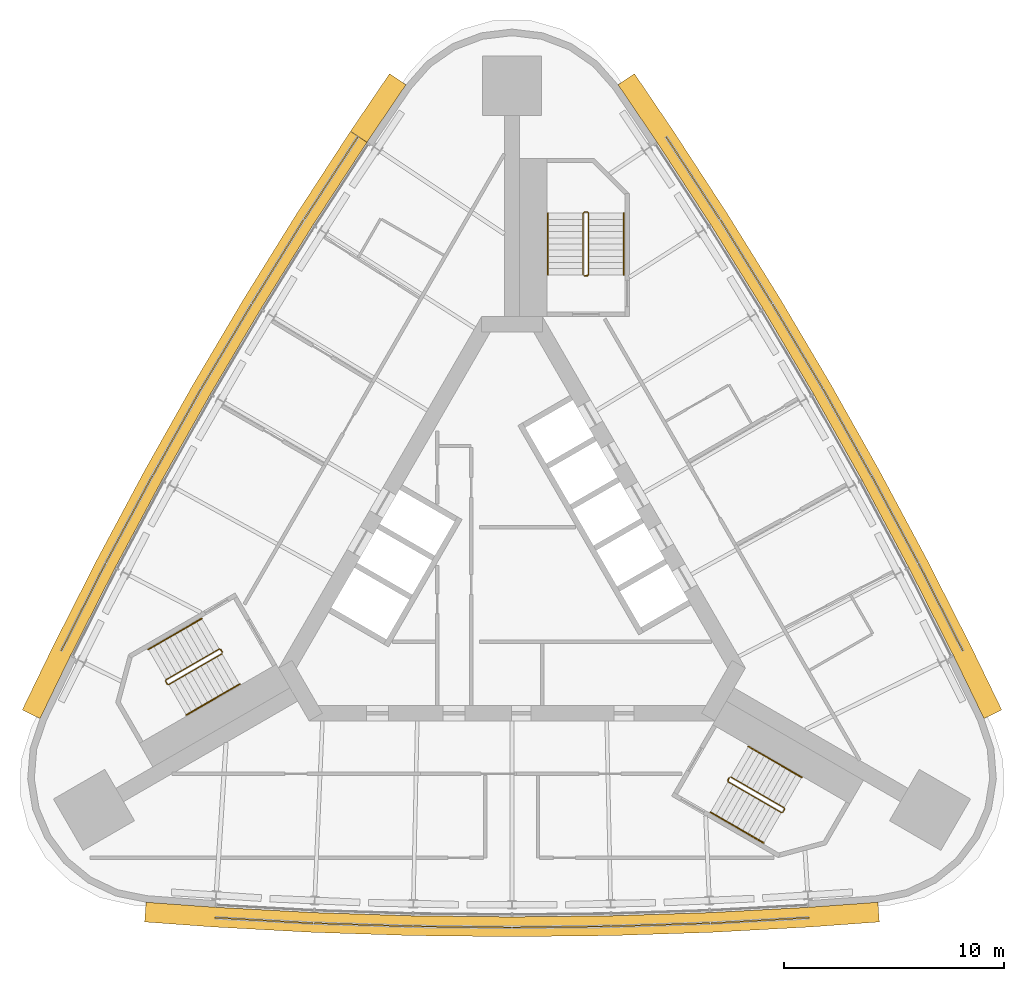
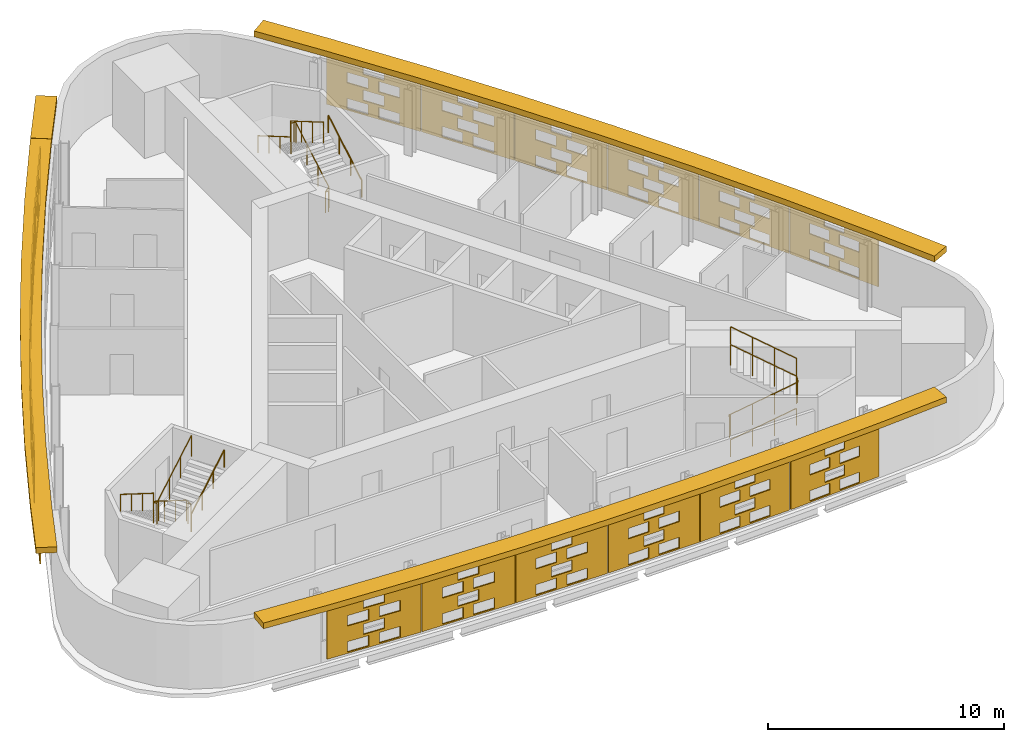
# One storey, part 10 of 10: 22 shading devices, 9 railings.
"""IFC4 building model written with IfcOpenShell, lengths in metres."""

from ifc_helpers import new_model, si_unit, direction, frame, origin, origin_2d, place, context, subcontext, project, spatial, polyline, circle, outline, extrude, material, material_profile, profile_set, type_object, element, save


model = new_model("IFC4")

# Units and contexts
model_context = context("Model", 3, precision=1e-05, world=origin(), true_north=direction((0.0, 1.0)))
body_context = subcontext(model_context, "Body", "Model", "MODEL_VIEW")
ifc_project = project(units=[si_unit("LENGTHUNIT", "METRE"), si_unit("AREAUNIT", "SQUARE_METRE"), si_unit("VOLUMEUNIT", "CUBIC_METRE"), si_unit("PLANEANGLEUNIT", "RADIAN"), si_unit("MASSUNIT", "GRAM", prefix="KILO")], contexts=[model_context])

# Site, building, storey
site_placement = place(None, origin())
site = spatial("IfcSite", under=ifc_project, at=site_placement, CompositionType="ELEMENT")
building_placement = place(site_placement, origin())
building = spatial("IfcBuilding", under=site, at=building_placement, Name="Noor Cloister Tower", CompositionType="ELEMENT")
storey_placement = place(building_placement, frame((0.0, 0.0, 192.300048828125)))
storey = spatial("IfcBuildingStorey", under=building, at=storey_placement, Name="L49", CompositionType="ELEMENT", Elevation=192.300048828125)

# Shading devices
ifc_material_1 = material(Name="Limestone", Category="masonry")
ifc_material_profile = material_profile(ifc_material_1, outline(polyline([(-2.22998046875, -1.35009765625), (2.22998046875, -1.35009765625), (2.22998046875, 1.35009765625), (-2.22998046875, 1.35009765625), (-2.22998046875, -1.35009765625)]), holes=[polyline([(-1.25, -1.282470703125), (-0.25, -1.282470703125), (-0.25, -0.742431640625), (-1.25, -0.742431640625), (-1.25, -1.282470703125)]), polyline([(0.25, -1.282470703125), (1.25, -1.282470703125), (1.25, -0.742431640625), (0.25, -0.742431640625), (0.25, -1.282470703125)]), polyline([(-0.5, -0.607421875), (0.5, -0.607421875), (0.5, -0.0673828125), (-0.5, -0.0673828125), (-0.5, -0.607421875)]), polyline([(-1.25, 0.0673828125), (-0.25, 0.0673828125), (-0.25, 0.607421875), (-1.25, 0.607421875), (-1.25, 0.0673828125)]), polyline([(0.25, 0.0673828125), (1.25, 0.0673828125), (1.25, 0.607421875), (0.25, 0.607421875), (0.25, 0.0673828125)]), polyline([(-0.5, 0.742431640625), (0.5, 0.742431640625), (0.5, 1.282470703125), (-0.5, 1.282470703125), (-0.5, 0.742431640625)])]), Name="Woven screen 32 percent open")
ifc_profile_set = profile_set([ifc_material_profile], Name="Limestone")
shading_device_type_1 = type_object("IfcShadingDeviceType", Name="SCREEN woven limestone 32 percent open", PredefinedType="USERDEFINED", material=ifc_profile_set)
for number, where, z_axis, x_axis, name in (
    (1, (-8.20068359375, 17.74609375, 1.849853515625), (-0.838257628123, 0.545274379459, 0.0), (-0.545274379459, -0.838257628123, 0.0), "SCREEN L49 1"),
    (2, (-10.622314453125, 13.942138671875, 1.849853515625), (-0.850958576931, 0.525232805857, 0.0), (-0.525232805857, -0.850958576931, 0.0), "SCREEN L49 2"),
):
    element("IfcShadingDevice", number, at=place(storey_placement, frame(where, z_axis=z_axis, x_axis=x_axis)), inside=storey, type_object=shading_device_type_1, Name=name, ObjectType="SCREEN", PredefinedType="USERDEFINED", context=body_context, shape_type="SweptSolid", body=[
        extrude(outline(polyline([(-2.22998046875, -1.35009765625), (2.22998046875, -1.35009765625), (2.22998046875, 1.35009765625), (-2.22998046875, 1.35009765625), (-2.22998046875, -1.35009765625)]), holes=[polyline([(-1.25, -1.282470703125), (-0.25, -1.282470703125), (-0.25, -0.742431640625), (-1.25, -0.742431640625), (-1.25, -1.282470703125)]), polyline([(0.25, -1.282470703125), (1.25, -1.282470703125), (1.25, -0.742431640625), (0.25, -0.742431640625), (0.25, -1.282470703125)]), polyline([(-0.5, -0.607421875), (0.5, -0.607421875), (0.5, -0.0673828125), (-0.5, -0.0673828125), (-0.5, -0.607421875)]), polyline([(-1.25, 0.0673828125), (-0.25, 0.0673828125), (-0.25, 0.607421875), (-1.25, 0.607421875), (-1.25, 0.0673828125)]), polyline([(0.25, 0.0673828125), (1.25, 0.0673828125), (1.25, 0.607421875), (0.25, 0.607421875), (0.25, 0.0673828125)]), polyline([(-0.5, 0.742431640625), (0.5, 0.742431640625), (0.5, 1.282470703125), (-0.5, 1.282470703125), (-0.5, 0.742431640625)])]), origin(), (0.0, 0.0, 1.0), 0.06005859375),
    ])
shading_device_1_placement = place(storey_placement, frame((-12.9609375, 10.08642578125, 1.849853515625), z_axis=(-0.85963215675, 0.510913451654, 0.0), x_axis=(-0.510913451654, -0.85963215675, 0.0)))
element("IfcShadingDevice", 3, at=shading_device_1_placement, inside=storey, type_object=shading_device_type_1, Name="SCREEN L49 3", ObjectType="SCREEN", PredefinedType="USERDEFINED", context=body_context, shape_type="SweptSolid", body=[
    extrude(outline(polyline([(-2.22998046875, -1.35009765625), (2.22998046875, -1.35009765625), (2.22998046875, 1.35009765625), (-2.22998046875, 1.35009765625), (-2.22998046875, -1.35009765625)]), holes=[polyline([(-1.25, -1.282470703125), (-0.25, -1.282470703125), (-0.25, -0.742431640625), (-1.25, -0.742431640625), (-1.25, -1.282470703125)]), polyline([(0.25, -1.282470703125), (1.25, -1.282470703125), (1.25, -0.742431640625), (0.25, -0.742431640625), (0.25, -1.282470703125)]), polyline([(-0.5, -0.607421875), (0.5, -0.607421875), (0.5, -0.0673828125), (-0.5, -0.0673828125), (-0.5, -0.607421875)]), polyline([(-1.25, 0.0673828125), (-0.25, 0.0673828125), (-0.25, 0.607421875), (-1.25, 0.607421875), (-1.25, 0.0673828125)]), polyline([(0.25, 0.0673828125), (1.25, 0.0673828125), (1.25, 0.607421875), (0.25, 0.607421875), (0.25, 0.0673828125)]), polyline([(-0.5, 0.742431640625), (0.5, 0.742431640625), (0.5, 1.282470703125), (-0.5, 1.282470703125), (-0.5, 0.742431640625)])]), origin(), (0.0, 0.0, 1.0), 0.060302734375),
])
for number, where, z_axis, x_axis, name in (
    (4, (-15.215576171875, 6.181396484375, 1.849853515625), (-0.873197702015, 0.487366159264, 0.0), (-0.487366159264, -0.873197702015, 0.0), "SCREEN L49 4"),
    (5, (-17.38525390625, 2.228271484375, 1.849853515625), (-0.88190253726, 0.47143177107, 0.0), (-0.47143177107, -0.88190253726, 0.0), "SCREEN L49 5"),
    (6, (-19.468994140625, -1.77099609375, 1.849853515625), (-0.891970083601, 0.452094425935, 0.0), (-0.452094425935, -0.891970083601, 0.0), "SCREEN L49 6"),
    (7, (-11.26806640625, -15.97509765625, 1.849853515625), (-0.056818631031, -0.998384516691, 0.0), (0.998384516691, -0.056818631031, 0.0), "SCREEN L49 1"),
    (8, (-6.762939453125, -16.170166015625, 1.849853515625), (-0.032503142546, -0.999471633277, 0.0), (0.999471633277, -0.032503142546, 0.0), "SCREEN L49 2"),
    (9, (-2.254638671875, -16.267822265625, 1.849853515625), (-0.012194215217, -0.999925647793, 0.0), (0.999925647793, -0.012194215217, 0.0), "SCREEN L49 3"),
    (10, (2.254638671875, -16.267822265625, 1.849853515625), (0.012194215217, -0.999925647793, 0.0), (0.999925647793, 0.012194215217, 0.0), "SCREEN L49 4"),
    (11, (6.762939453125, -16.170166015625, 1.849853515625), (0.032503142546, -0.999471633277, 0.0), (0.999471633277, 0.032503142546, 0.0), "SCREEN L49 5"),
    (12, (11.26806640625, -15.97509765625, 1.849853515625), (0.056818631031, -0.998384516691, 0.0), (0.998384516691, 0.056818631031, 0.0), "SCREEN L49 6"),
    (13, (19.468994140625, -1.77099609375, 1.849853515625), (0.891970083601, 0.452094425935, 0.0), (-0.452094425935, 0.891970083601, 0.0), "SCREEN L49 1"),
    (14, (17.38525390625, 2.228271484375, 1.849853515625), (0.88190253726, 0.47143177107, 0.0), (-0.47143177107, 0.88190253726, 0.0), "SCREEN L49 2"),
    (15, (15.215576171875, 6.181396484375, 1.849853515625), (0.873197702015, 0.487366159264, 0.0), (-0.487366159264, 0.873197702015, 0.0), "SCREEN L49 3"),
):
    element("IfcShadingDevice", number, at=place(storey_placement, frame(where, z_axis=z_axis, x_axis=x_axis)), inside=storey, type_object=shading_device_type_1, Name=name, ObjectType="SCREEN", PredefinedType="USERDEFINED", context=body_context, shape_type="SweptSolid", body=[
        extrude(outline(polyline([(-2.22998046875, -1.35009765625), (2.22998046875, -1.35009765625), (2.22998046875, 1.35009765625), (-2.22998046875, 1.35009765625), (-2.22998046875, -1.35009765625)]), holes=[polyline([(-1.25, -1.282470703125), (-0.25, -1.282470703125), (-0.25, -0.742431640625), (-1.25, -0.742431640625), (-1.25, -1.282470703125)]), polyline([(0.25, -1.282470703125), (1.25, -1.282470703125), (1.25, -0.742431640625), (0.25, -0.742431640625), (0.25, -1.282470703125)]), polyline([(-0.5, -0.607421875), (0.5, -0.607421875), (0.5, -0.0673828125), (-0.5, -0.0673828125), (-0.5, -0.607421875)]), polyline([(-1.25, 0.0673828125), (-0.25, 0.0673828125), (-0.25, 0.607421875), (-1.25, 0.607421875), (-1.25, 0.0673828125)]), polyline([(0.25, 0.0673828125), (1.25, 0.0673828125), (1.25, 0.607421875), (0.25, 0.607421875), (0.25, 0.0673828125)]), polyline([(-0.5, 0.742431640625), (0.5, 0.742431640625), (0.5, 1.282470703125), (-0.5, 1.282470703125), (-0.5, 0.742431640625)])]), origin(), (0.0, 0.0, 1.0), 0.06005859375),
    ])
shading_device_2_placement = place(storey_placement, frame((12.9609375, 10.08642578125, 1.849853515625), z_axis=(0.85963215675, 0.510913451654, 0.0), x_axis=(-0.510913451654, 0.85963215675, 0.0)))
element("IfcShadingDevice", 16, at=shading_device_2_placement, inside=storey, type_object=shading_device_type_1, Name="SCREEN L49 4", ObjectType="SCREEN", PredefinedType="USERDEFINED", context=body_context, shape_type="SweptSolid", body=[
    extrude(outline(polyline([(-2.22998046875, -1.35009765625), (2.22998046875, -1.35009765625), (2.22998046875, 1.35009765625), (-2.22998046875, 1.35009765625), (-2.22998046875, -1.35009765625)]), holes=[polyline([(-1.25, -1.282470703125), (-0.25, -1.282470703125), (-0.25, -0.742431640625), (-1.25, -0.742431640625), (-1.25, -1.282470703125)]), polyline([(0.25, -1.282470703125), (1.25, -1.282470703125), (1.25, -0.742431640625), (0.25, -0.742431640625), (0.25, -1.282470703125)]), polyline([(-0.5, -0.607421875), (0.5, -0.607421875), (0.5, -0.0673828125), (-0.5, -0.0673828125), (-0.5, -0.607421875)]), polyline([(-1.25, 0.0673828125), (-0.25, 0.0673828125), (-0.25, 0.607421875), (-1.25, 0.607421875), (-1.25, 0.0673828125)]), polyline([(0.25, 0.0673828125), (1.25, 0.0673828125), (1.25, 0.607421875), (0.25, 0.607421875), (0.25, 0.0673828125)]), polyline([(-0.5, 0.742431640625), (0.5, 0.742431640625), (0.5, 1.282470703125), (-0.5, 1.282470703125), (-0.5, 0.742431640625)])]), origin(), (0.0, 0.0, 1.0), 0.060302734375),
])
for number, where, z_axis, x_axis, name in (
    (17, (10.622314453125, 13.942138671875, 1.849853515625), (0.850958576931, 0.525232805857, 0.0), (-0.525232805857, 0.850958576931, 0.0), "SCREEN L49 5"),
    (18, (8.20068359375, 17.74609375, 1.849853515625), (0.838257628123, 0.545274379459, 0.0), (-0.545274379459, 0.838257628123, 0.0), "SCREEN L49 6"),
):
    element("IfcShadingDevice", number, at=place(storey_placement, frame(where, z_axis=z_axis, x_axis=x_axis)), inside=storey, type_object=shading_device_type_1, Name=name, ObjectType="SCREEN", PredefinedType="USERDEFINED", context=body_context, shape_type="SweptSolid", body=[
        extrude(outline(polyline([(-2.22998046875, -1.35009765625), (2.22998046875, -1.35009765625), (2.22998046875, 1.35009765625), (-2.22998046875, 1.35009765625), (-2.22998046875, -1.35009765625)]), holes=[polyline([(-1.25, -1.282470703125), (-0.25, -1.282470703125), (-0.25, -0.742431640625), (-1.25, -0.742431640625), (-1.25, -1.282470703125)]), polyline([(0.25, -1.282470703125), (1.25, -1.282470703125), (1.25, -0.742431640625), (0.25, -0.742431640625), (0.25, -1.282470703125)]), polyline([(-0.5, -0.607421875), (0.5, -0.607421875), (0.5, -0.0673828125), (-0.5, -0.0673828125), (-0.5, -0.607421875)]), polyline([(-1.25, 0.0673828125), (-0.25, 0.0673828125), (-0.25, 0.607421875), (-1.25, 0.607421875), (-1.25, 0.0673828125)]), polyline([(0.25, 0.0673828125), (1.25, 0.0673828125), (1.25, 0.607421875), (0.25, 0.607421875), (0.25, 0.0673828125)]), polyline([(-0.5, 0.742431640625), (0.5, 0.742431640625), (0.5, 1.282470703125), (-0.5, 1.282470703125), (-0.5, 0.742431640625)])]), origin(), (0.0, 0.0, 1.0), 0.06005859375),
    ])
ifc_material_2 = material(Name="Limestone", Category="masonry")
shading_device_type_2 = type_object("IfcShadingDeviceType", Name="SUNSHADE limestone band 900", PredefinedType="USERDEFINED", material=ifc_material_2)
shading_device_3_placement = place(storey_placement, frame((0.0, 0.0, 3.300048828125)))
element("IfcShadingDevice", 19, at=shading_device_3_placement, inside=storey, type_object=shading_device_type_2, Name="SUNSHADE L49 1", ObjectType="SUNSHADE", PredefinedType="USERDEFINED", context=body_context, shape_type="SweptSolid", body=[
    extrude(outline(polyline([(-7.34912109375, 19.876708984375), (-9.811767578125, 16.098876953125), (-12.197265625, 12.26025390625), (-14.499267578125, 8.37109375), (-16.71630859375, 4.43310546875), (-18.847900390625, 0.44775390625), (-20.89208984375, -3.581298828125), (-22.272705078125, -6.431640625), (-21.462646484375, -6.823974609375), (-20.085693359375, -3.98095703125), (-18.0498046875, 0.031982421875), (-15.927490234375, 4.0), (-13.7197265625, 7.921142578125), (-11.427734375, 11.79345703125), (-9.052490234375, 15.615478515625), (-6.59521484375, 19.38525390625), (-7.34912109375, 19.876708984375)])), origin(), (0.0, 0.0, 1.0), 0.2998046875),
])
shading_device_4_placement = place(storey_placement, frame((0.0, 0.0, 3.300048828125)))
element("IfcShadingDevice", 20, at=shading_device_4_placement, inside=storey, type_object=shading_device_type_2, Name="SUNSHADE L49 2", ObjectType="SUNSHADE", PredefinedType="USERDEFINED", context=body_context, shape_type="SweptSolid", body=[
    extrude(outline(polyline([(-16.706298828125, -16.072998046875), (-13.54736328125, -16.302490234375), (-9.0361328125, -16.546630859375), (-4.51904296875, -16.693359375), (0.0, -16.7421875), (4.51904296875, -16.693359375), (9.0361328125, -16.546630859375), (13.54736328125, -16.302490234375), (16.706298828125, -16.072998046875), (16.640869140625, -15.17529296875), (13.490478515625, -15.404052734375), (8.9970703125, -15.6474609375), (4.499755859375, -15.79345703125), (0.0, -15.84228515625), (-4.499755859375, -15.79345703125), (-8.9970703125, -15.6474609375), (-13.490478515625, -15.404052734375), (-16.640869140625, -15.17529296875), (-16.706298828125, -16.072998046875)])), origin(), (0.0, 0.0, 1.0), 0.2998046875),
])
shading_device_5_placement = place(storey_placement, frame((0.0, 0.0, 3.300048828125)))
element("IfcShadingDevice", 21, at=shading_device_5_placement, inside=storey, type_object=shading_device_type_2, Name="SUNSHADE L49 3", ObjectType="SUNSHADE", PredefinedType="USERDEFINED", context=body_context, shape_type="SweptSolid", body=[
    extrude(outline(polyline([(22.272705078125, -6.431640625), (20.89208984375, -3.581298828125), (18.847900390625, 0.44775390625), (16.71630859375, 4.43310546875), (14.499267578125, 8.37109375), (12.197265625, 12.26025390625), (9.811767578125, 16.098876953125), (7.344482421875, 19.883544921875), (5.56640625, 22.50439453125), (4.82177734375, 21.9990234375), (6.59521484375, 19.38525390625), (9.052490234375, 15.615478515625), (11.427734375, 11.79345703125), (13.7197265625, 7.921142578125), (15.927490234375, 4.0), (18.0498046875, 0.031982421875), (20.085693359375, -3.98095703125), (21.462646484375, -6.823974609375), (22.272705078125, -6.431640625)])), origin(), (0.0, 0.0, 1.0), 0.2998046875),
])
shading_device_6_placement = place(storey_placement, frame((0.0, 0.0, 3.300048828125)))
element("IfcShadingDevice", 22, at=shading_device_6_placement, inside=storey, type_object=shading_device_type_2, Name="SUNSHADE L49 4", ObjectType="SUNSHADE", PredefinedType="USERDEFINED", context=body_context, shape_type="SweptSolid", body=[
    extrude(outline(polyline([(-5.56640625, 22.50439453125), (-7.33984375, 19.890380859375), (-6.59521484375, 19.38525390625), (-4.82177734375, 21.9990234375), (-5.56640625, 22.50439453125)])), origin(), (0.0, 0.0, 1.0), 0.2998046875),
])

# Railings
ifc_material_3 = material(Name="Stainless steel", Category="steel")
railing_type_1 = type_object("IfcRailingType", Name="Stair guard 1100", PredefinedType="GUARDRAIL", material=ifc_material_3)
railing_1_placement = place(storey_placement, frame((3.435546875, 13.306396484375, 0.0)))
element("IfcRailing", 23, at=railing_1_placement, inside=storey, type_object=railing_type_1, Name="Stair guard ST1 L49", PredefinedType="GUARDRAIL", context=body_context, shape_type="SweptSolid", body=[
    extrude(circle(Radius=0.02392578125, at=origin_2d()), frame((0.0, 0.0, 1.076171875), z_axis=(-1.0, 0.0, 0.0), x_axis=(0.0, -1.0, 0.0)), (0.0, 0.0, 1.0), 0.14990234375),
    extrude(circle(Radius=0.02392578125, at=origin_2d()), frame((-0.14990234375, 0.0, 1.076171875), z_axis=(0.759870394187, 0.190199549216, 0.621627795), x_axis=(-0.242814311512, 0.970072785993, 0.0)), (0.0, 0.0, 1.0), 0.26318359375),
    extrude(circle(Radius=0.02392578125, at=origin_2d()), frame((0.050048828125, 0.050048828125, 1.23974609375), z_axis=(0.0, 0.863360870873, 0.504586966384), x_axis=(-1.0, 0.0, 0.0)), (0.0, 0.0, 1.0), 3.2431640625),
    extrude(circle(Radius=0.02392578125, at=origin_2d()), frame((0.050048828125, 2.85009765625, 2.8759765625), z_axis=(-0.708833529934, 0.705375805398, 0.0), x_axis=(-0.705375805398, -0.708833529934, 0.0)), (0.0, 0.0, 1.0), 0.070556640625),
    extrude(circle(Radius=0.02392578125, at=origin_2d()), frame((0.0, 2.89990234375, 2.8759765625), z_axis=(-1.0, 0.0, 0.0), x_axis=(0.0, -1.0, 0.0)), (0.0, 0.0, 1.0), 0.14990234375),
    extrude(circle(Radius=0.02392578125, at=origin_2d()), frame((-0.14990234375, 2.89990234375, 2.8759765625), z_axis=(-0.280916556609, -0.279546231943, 0.91811752648), x_axis=(0.705375805398, -0.708833529934, 0.0)), (0.0, 0.0, 1.0), 0.17822265625),
    extrude(circle(Radius=0.02392578125, at=origin_2d()), frame((-0.199951171875, 2.85009765625, 3.03955078125), z_axis=(0.0, -0.863393664356, 0.504530851732), x_axis=(1.0, 0.0, 0.0)), (0.0, 0.0, 1.0), 3.2431640625),
    extrude(circle(Radius=0.02099609375, at=origin_2d()), origin(), (0.0, 0.0, 1.0), 1.052001953125),
    extrude(circle(Radius=0.02099609375, at=origin_2d()), frame((-0.14990234375, 0.0, 0.0)), (0.0, 0.0, 1.0), 1.052001953125),
    extrude(circle(Radius=0.02099609375, at=origin_2d()), frame((0.050048828125, 0.050048828125, 0.16357421875)), (0.0, 0.0, 1.0), 1.052001953125),
    extrude(circle(Radius=0.02099609375, at=origin_2d()), frame((0.050048828125, 0.9833984375, 0.708984375)), (0.0, 0.0, 1.0), 1.052001953125),
    extrude(circle(Radius=0.02099609375, at=origin_2d()), frame((0.050048828125, 1.916748046875, 1.254638671875)), (0.0, 0.0, 1.0), 1.052001953125),
    extrude(circle(Radius=0.02099609375, at=origin_2d()), frame((0.050048828125, 2.85009765625, 1.800048828125)), (0.0, 0.0, 1.0), 1.052001953125),
    extrude(circle(Radius=0.02099609375, at=origin_2d()), frame((0.0, 2.89990234375, 1.800048828125)), (0.0, 0.0, 1.0), 1.052001953125),
    extrude(circle(Radius=0.02099609375, at=origin_2d()), frame((-0.14990234375, 2.89990234375, 1.800048828125)), (0.0, 0.0, 1.0), 1.052001953125),
    extrude(circle(Radius=0.02099609375, at=origin_2d()), frame((-0.199951171875, 2.85009765625, 1.963623046875)), (0.0, 0.0, 1.0), 1.052001953125),
    extrude(circle(Radius=0.02099609375, at=origin_2d()), frame((-0.199951171875, 1.916748046875, 2.509033203125)), (0.0, 0.0, 1.0), 1.052001953125),
    extrude(circle(Radius=0.02099609375, at=origin_2d()), frame((-0.199951171875, 0.9833984375, 3.054443359375)), (0.0, 0.0, 1.0), 1.052001953125),
    extrude(circle(Radius=0.02099609375, at=origin_2d()), frame((-0.199951171875, 0.050048828125, 3.599853515625)), (0.0, 0.0, 1.0), 1.052001953125),
])
railing_2_placement = place(storey_placement, frame((-13.241455078125, -3.677734375, 0.0)))
element("IfcRailing", 24, at=railing_2_placement, inside=storey, type_object=railing_type_1, Name="Stair guard ST2 L49", PredefinedType="GUARDRAIL", context=body_context, shape_type="SweptSolid", body=[
    extrude(circle(Radius=0.02392578125, at=origin_2d()), frame((0.0, 0.0, 1.076171875), z_axis=(0.499112439033, -0.866537231285, 0.0), x_axis=(0.866537231285, 0.499112439033, 0.0)), (0.0, 0.0, 1.0), 0.150146484375),
    extrude(circle(Radius=0.02392578125, at=origin_2d()), frame((0.074951171875, -0.130126953125, 1.076171875), z_axis=(-0.544565797804, 0.563119998752, 0.621565731736), x_axis=(-0.718850276695, -0.695164929852, 0.0)), (0.0, 0.0, 1.0), 0.26318359375),
    extrude(circle(Radius=0.02392578125, at=origin_2d()), frame((-0.068359375, 0.01806640625, 1.23974609375), z_axis=(-0.747689811644, -0.431660630283, 0.504607813879), x_axis=(0.49998411664, -0.866034573852, 0.0)), (0.0, 0.0, 1.0), 3.2431640625),
    extrude(circle(Radius=0.02392578125, at=origin_2d()), frame((-2.4931640625, -1.3818359375, 2.8759765625), z_axis=(-0.258736085224, -0.965948051503, 0.0), x_axis=(0.965948051503, -0.258736085224, 0.0)), (0.0, 0.0, 1.0), 0.07080078125),
    extrude(circle(Radius=0.02392578125, at=origin_2d()), frame((-2.511474609375, -1.4501953125, 2.8759765625), z_axis=(0.499816412211, -0.866131372301, 0.0), x_axis=(0.866131372301, 0.499816412211, 0.0)), (0.0, 0.0, 1.0), 0.14990234375),
    extrude(circle(Radius=0.02392578125, at=origin_2d()), frame((-2.4365234375, -1.580078125, 2.8759765625), z_axis=(0.383552647116, -0.102737316192, 0.917786691313), x_axis=(0.258736085224, 0.965948051503, 0.0)), (0.0, 0.0, 1.0), 0.17822265625),
    extrude(circle(Radius=0.02392578125, at=origin_2d()), frame((-2.3681640625, -1.598388671875, 3.03955078125), z_axis=(0.747693913401, 0.431738279637, 0.504535300807), x_axis=(-0.500049511043, 0.865996816683, 0.0)), (0.0, 0.0, 1.0), 3.2431640625),
    extrude(circle(Radius=0.02099609375, at=origin_2d()), origin(), (0.0, 0.0, 1.0), 1.052001953125),
    extrude(circle(Radius=0.02099609375, at=origin_2d()), frame((0.074951171875, -0.130126953125, 0.0)), (0.0, 0.0, 1.0), 1.052001953125),
    extrude(circle(Radius=0.02099609375, at=origin_2d()), frame((-0.068359375, 0.01806640625, 0.16357421875)), (0.0, 0.0, 1.0), 1.052001953125),
    extrude(circle(Radius=0.02099609375, at=origin_2d()), frame((-0.876708984375, -0.448486328125, 0.708984375)), (0.0, 0.0, 1.0), 1.052001953125),
    extrude(circle(Radius=0.02099609375, at=origin_2d()), frame((-1.684814453125, -0.915283203125, 1.254638671875)), (0.0, 0.0, 1.0), 1.052001953125),
    extrude(circle(Radius=0.02099609375, at=origin_2d()), frame((-2.4931640625, -1.3818359375, 1.800048828125)), (0.0, 0.0, 1.0), 1.052001953125),
    extrude(circle(Radius=0.02099609375, at=origin_2d()), frame((-2.511474609375, -1.4501953125, 1.800048828125)), (0.0, 0.0, 1.0), 1.052001953125),
    extrude(circle(Radius=0.02099609375, at=origin_2d()), frame((-2.4365234375, -1.580078125, 1.800048828125)), (0.0, 0.0, 1.0), 1.052001953125),
    extrude(circle(Radius=0.02099609375, at=origin_2d()), frame((-2.3681640625, -1.598388671875, 1.963623046875)), (0.0, 0.0, 1.0), 1.052001953125),
    extrude(circle(Radius=0.02099609375, at=origin_2d()), frame((-1.559814453125, -1.131591796875, 2.509033203125)), (0.0, 0.0, 1.0), 1.052001953125),
    extrude(circle(Radius=0.02099609375, at=origin_2d()), frame((-0.751708984375, -0.6650390625, 3.054443359375)), (0.0, 0.0, 1.0), 1.052001953125),
    extrude(circle(Radius=0.02099609375, at=origin_2d()), frame((0.056640625, -0.1982421875, 3.599853515625)), (0.0, 0.0, 1.0), 1.052001953125),
])
railing_3_placement = place(storey_placement, frame((9.805908203125, -9.628662109375, 0.0)))
element("IfcRailing", 25, at=railing_3_placement, inside=storey, type_object=railing_type_1, Name="Stair guard ST3 L49", PredefinedType="GUARDRAIL", context=body_context, shape_type="SweptSolid", body=[
    extrude(circle(Radius=0.02392578125, at=origin_2d()), frame((0.0, 0.0, 1.076171875), z_axis=(0.499112439033, 0.866537231285, 0.0), x_axis=(-0.866537231285, 0.499112439033, 0.0)), (0.0, 0.0, 1.0), 0.150146484375),
    extrude(circle(Radius=0.02392578125, at=origin_2d()), frame((0.074951171875, 0.130126953125, 1.076171875), z_axis=(-0.215214839654, -0.753251938789, 0.621525614518), x_axis=(0.961523947641, -0.274721127897, 0.0)), (0.0, 0.0, 1.0), 0.26318359375),
    extrude(circle(Radius=0.02392578125, at=origin_2d()), frame((0.018310546875, -0.068115234375, 1.23974609375), z_axis=(0.747665513933, -0.431721881032, 0.504591415616), x_axis=(0.500049511043, 0.865996816683, 0.0)), (0.0, 0.0, 1.0), 3.2431640625),
    extrude(circle(Radius=0.02392578125, at=origin_2d()), frame((2.443115234375, -1.46826171875, 2.8759765625), z_axis=(0.965948051503, 0.258736085224, 0.0), x_axis=(-0.258736085224, 0.965948051503, 0.0)), (0.0, 0.0, 1.0), 0.07080078125),
    extrude(circle(Radius=0.02392578125, at=origin_2d()), frame((2.511474609375, -1.449951171875, 2.8759765625), z_axis=(0.499816412211, 0.866131372301, 0.0), x_axis=(-0.866131372301, 0.499816412211, 0.0)), (0.0, 0.0, 1.0), 0.14990234375),
    extrude(circle(Radius=0.02392578125, at=origin_2d()), frame((2.58642578125, -1.320068359375, 2.8759765625), z_axis=(-0.102737316192, 0.383552647116, 0.917786691313), x_axis=(-0.965948051503, -0.258736085224, 0.0)), (0.0, 0.0, 1.0), 0.17822265625),
    extrude(circle(Radius=0.02392578125, at=origin_2d()), frame((2.568115234375, -1.251708984375, 3.03955078125), z_axis=(-0.74771821388, 0.431677027627, 0.504551698492), x_axis=(-0.49998411664, -0.866034573852, 0.0)), (0.0, 0.0, 1.0), 3.242919921875),
    extrude(circle(Radius=0.02099609375, at=origin_2d()), origin(), (0.0, 0.0, 1.0), 1.052001953125),
    extrude(circle(Radius=0.02099609375, at=origin_2d()), frame((0.074951171875, 0.130126953125, 0.0)), (0.0, 0.0, 1.0), 1.052001953125),
    extrude(circle(Radius=0.02099609375, at=origin_2d()), frame((0.018310546875, -0.068115234375, 0.16357421875)), (0.0, 0.0, 1.0), 1.052001953125),
    extrude(circle(Radius=0.02099609375, at=origin_2d()), frame((0.82666015625, -0.534912109375, 0.708984375)), (0.0, 0.0, 1.0), 1.052001953125),
    extrude(circle(Radius=0.02099609375, at=origin_2d()), frame((1.634765625, -1.00146484375, 1.254638671875)), (0.0, 0.0, 1.0), 1.052001953125),
    extrude(circle(Radius=0.02099609375, at=origin_2d()), frame((2.443115234375, -1.46826171875, 1.800048828125)), (0.0, 0.0, 1.0), 1.052001953125),
    extrude(circle(Radius=0.02099609375, at=origin_2d()), frame((2.511474609375, -1.449951171875, 1.800048828125)), (0.0, 0.0, 1.0), 1.052001953125),
    extrude(circle(Radius=0.02099609375, at=origin_2d()), frame((2.58642578125, -1.320068359375, 1.800048828125)), (0.0, 0.0, 1.0), 1.052001953125),
    extrude(circle(Radius=0.02099609375, at=origin_2d()), frame((2.568115234375, -1.251708984375, 1.963623046875)), (0.0, 0.0, 1.0), 1.052001953125),
    extrude(circle(Radius=0.02099609375, at=origin_2d()), frame((1.759765625, -0.78515625, 2.509033203125)), (0.0, 0.0, 1.0), 1.052001953125),
    extrude(circle(Radius=0.02099609375, at=origin_2d()), frame((0.95166015625, -0.318359375, 3.054443359375)), (0.0, 0.0, 1.0), 1.052001953125),
    extrude(circle(Radius=0.02099609375, at=origin_2d()), frame((0.143310546875, 0.148193359375, 3.599853515625)), (0.0, 0.0, 1.0), 1.052001953125),
])
ifc_material_4 = material(Name="Stainless steel", Category="steel")
railing_type_2 = type_object("IfcRailingType", Name="Stair handrail 900", PredefinedType="HANDRAIL", material=ifc_material_4)
railing_4_placement = place(storey_placement, frame((5.085693359375, 13.3564453125, 0.16357421875)))
element("IfcRailing", 26, at=railing_4_placement, inside=storey, type_object=railing_type_2, Name="Stair handrail ST1 L49 1", PredefinedType="HANDRAIL", context=body_context, shape_type="SweptSolid", body=[
    extrude(circle(Radius=0.02392578125, at=origin_2d()), frame((0.0, 0.0, 0.8759765625), z_axis=(0.0, 0.863360870873, 0.504586966384), x_axis=(-1.0, 0.0, 0.0)), (0.0, 0.0, 1.0), 3.2431640625),
    extrude(circle(Radius=0.02099609375, at=origin_2d()), origin(), (0.0, 0.0, 1.0), 0.851806640625),
    extrude(circle(Radius=0.02099609375, at=origin_2d()), frame((0.0, 0.933349609375, 0.54541015625)), (0.0, 0.0, 1.0), 0.851806640625),
    extrude(circle(Radius=0.02099609375, at=origin_2d()), frame((0.0, 1.86669921875, 1.091064453125)), (0.0, 0.0, 1.0), 0.851806640625),
    extrude(circle(Radius=0.02099609375, at=origin_2d()), frame((0.0, 2.800048828125, 1.636474609375)), (0.0, 0.0, 1.0), 0.851806640625),
])
railing_5_placement = place(storey_placement, frame((1.6357421875, 16.156494140625, 1.963623046875)))
element("IfcRailing", 27, at=railing_5_placement, inside=storey, type_object=railing_type_2, Name="Stair handrail ST1 L49 2", PredefinedType="HANDRAIL", context=body_context, shape_type="SweptSolid", body=[
    extrude(circle(Radius=0.02392578125, at=origin_2d()), frame((0.0, 0.0, 0.8759765625), z_axis=(0.0, -0.863393664356, 0.504530851732), x_axis=(1.0, 0.0, 0.0)), (0.0, 0.0, 1.0), 3.2431640625),
    extrude(circle(Radius=0.02099609375, at=origin_2d()), origin(), (0.0, 0.0, 1.0), 0.851806640625),
    extrude(circle(Radius=0.02099609375, at=origin_2d()), frame((0.0, -0.933349609375, 0.54541015625)), (0.0, 0.0, 1.0), 0.851806640625),
    extrude(circle(Radius=0.02099609375, at=origin_2d()), frame((0.0, -1.86669921875, 1.0908203125)), (0.0, 0.0, 1.0), 0.851806640625),
    extrude(circle(Radius=0.02099609375, at=origin_2d()), frame((0.0, -2.800048828125, 1.63623046875)), (0.0, 0.0, 1.0), 0.851806640625),
])
railing_6_placement = place(storey_placement, frame((-14.10986328125, -2.27392578125, 0.16357421875)))
element("IfcRailing", 28, at=railing_6_placement, inside=storey, type_object=railing_type_2, Name="Stair handrail ST2 L49 1", PredefinedType="HANDRAIL", context=body_context, shape_type="SweptSolid", body=[
    extrude(circle(Radius=0.02392578125, at=origin_2d()), frame((0.0, 0.0, 0.8759765625), z_axis=(-0.747689811644, -0.431660630283, 0.504607813879), x_axis=(0.49998411664, -0.866034573852, 0.0)), (0.0, 0.0, 1.0), 3.2431640625),
    extrude(circle(Radius=0.02099609375, at=origin_2d()), origin(), (0.0, 0.0, 1.0), 0.851806640625),
    extrude(circle(Radius=0.02099609375, at=origin_2d()), frame((-0.808349609375, -0.466552734375, 0.54541015625)), (0.0, 0.0, 1.0), 0.851806640625),
    extrude(circle(Radius=0.02099609375, at=origin_2d()), frame((-1.616455078125, -0.933349609375, 1.091064453125)), (0.0, 0.0, 1.0), 0.851806640625),
    extrude(circle(Radius=0.02099609375, at=origin_2d()), frame((-2.4248046875, -1.39990234375, 1.636474609375)), (0.0, 0.0, 1.0), 0.851806640625),
])
railing_7_placement = place(storey_placement, frame((-14.8095703125, -6.66162109375, 1.963623046875)))
element("IfcRailing", 29, at=railing_7_placement, inside=storey, type_object=railing_type_2, Name="Stair handrail ST2 L49 2", PredefinedType="HANDRAIL", context=body_context, shape_type="SweptSolid", body=[
    extrude(circle(Radius=0.02392578125, at=origin_2d()), frame((0.0, 0.0, 0.8759765625), z_axis=(0.74771821388, 0.431677027627, 0.504551698492), x_axis=(-0.49998411664, 0.866034573852, 0.0)), (0.0, 0.0, 1.0), 3.242919921875),
    extrude(circle(Radius=0.02099609375, at=origin_2d()), origin(), (0.0, 0.0, 1.0), 0.851806640625),
    extrude(circle(Radius=0.02099609375, at=origin_2d()), frame((0.808349609375, 0.466552734375, 0.54541015625)), (0.0, 0.0, 1.0), 0.851806640625),
    extrude(circle(Radius=0.02099609375, at=origin_2d()), frame((1.616455078125, 0.933349609375, 1.0908203125)), (0.0, 0.0, 1.0), 0.851806640625),
    extrude(circle(Radius=0.02099609375, at=origin_2d()), frame((2.4248046875, 1.39990234375, 1.63623046875)), (0.0, 0.0, 1.0), 0.851806640625),
])
railing_8_placement = place(storey_placement, frame((9.024169921875, -11.08251953125, 0.16357421875)))
element("IfcRailing", 30, at=railing_8_placement, inside=storey, type_object=railing_type_2, Name="Stair handrail ST3 L49 1", PredefinedType="HANDRAIL", context=body_context, shape_type="SweptSolid", body=[
    extrude(circle(Radius=0.02392578125, at=origin_2d()), frame((0.0, 0.0, 0.8759765625), z_axis=(0.747689811644, -0.431660630283, 0.504607813879), x_axis=(0.49998411664, 0.866034573852, 0.0)), (0.0, 0.0, 1.0), 3.2431640625),
    extrude(circle(Radius=0.02099609375, at=origin_2d()), origin(), (0.0, 0.0, 1.0), 0.851806640625),
    extrude(circle(Radius=0.02099609375, at=origin_2d()), frame((0.808349609375, -0.466552734375, 0.54541015625)), (0.0, 0.0, 1.0), 0.851806640625),
    extrude(circle(Radius=0.02099609375, at=origin_2d()), frame((1.616455078125, -0.933349609375, 1.091064453125)), (0.0, 0.0, 1.0), 0.851806640625),
    extrude(circle(Radius=0.02099609375, at=origin_2d()), frame((2.4248046875, -1.39990234375, 1.636474609375)), (0.0, 0.0, 1.0), 0.851806640625),
])
railing_9_placement = place(storey_placement, frame((13.174072265625, -9.49462890625, 1.963623046875)))
element("IfcRailing", 31, at=railing_9_placement, inside=storey, type_object=railing_type_2, Name="Stair handrail ST3 L49 2", PredefinedType="HANDRAIL", context=body_context, shape_type="SweptSolid", body=[
    extrude(circle(Radius=0.02392578125, at=origin_2d()), frame((0.0, 0.0, 0.8759765625), z_axis=(-0.74771821388, 0.431677027627, 0.504551698492), x_axis=(-0.49998411664, -0.866034573852, 0.0)), (0.0, 0.0, 1.0), 3.242919921875),
    extrude(circle(Radius=0.02099609375, at=origin_2d()), origin(), (0.0, 0.0, 1.0), 0.851806640625),
    extrude(circle(Radius=0.02099609375, at=origin_2d()), frame((-0.808349609375, 0.466552734375, 0.54541015625)), (0.0, 0.0, 1.0), 0.851806640625),
    extrude(circle(Radius=0.02099609375, at=origin_2d()), frame((-1.616455078125, 0.933349609375, 1.0908203125)), (0.0, 0.0, 1.0), 0.851806640625),
    extrude(circle(Radius=0.02099609375, at=origin_2d()), frame((-2.4248046875, 1.39990234375, 1.63623046875)), (0.0, 0.0, 1.0), 0.851806640625),
])

save(model, "model.ifc")
